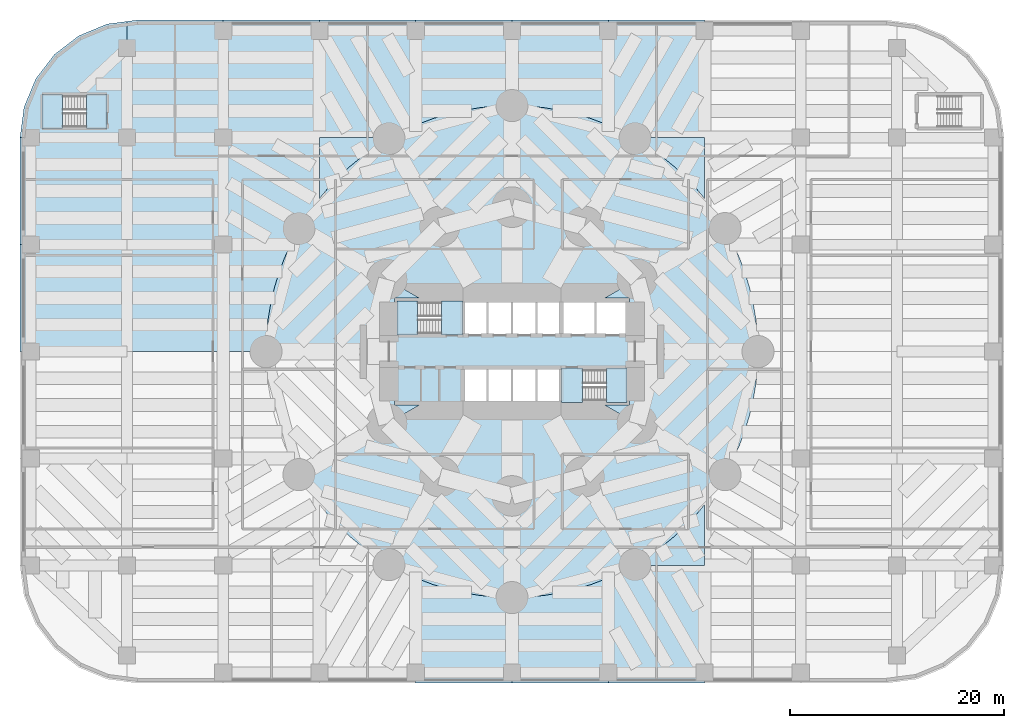
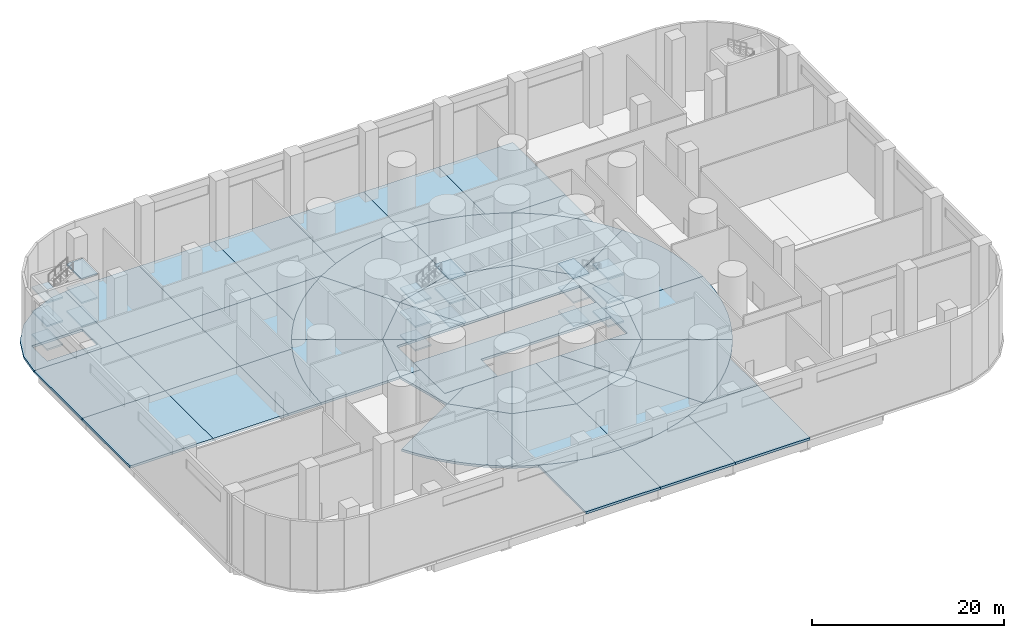
# One storey, part 5 of 13: 61 slabs, 3 elements without a shape of their own.
"""IFC4 building model written with IfcOpenShell, lengths in metres."""

from ifc_helpers import new_model, si_unit, direction, frame, origin, place, context, subcontext, project, spatial, polyline, outline, extrude, material, layer, layer_set, type_object, element, aggregate, save


model = new_model("IFC4")

# Units and contexts
model_context = context("Model", 3, precision=1e-05, world=origin(), true_north=direction((0.0, 1.0)))
body_context = subcontext(model_context, "Body", "Model", "MODEL_VIEW")
ifc_project = project(units=[si_unit("LENGTHUNIT", "METRE"), si_unit("AREAUNIT", "SQUARE_METRE"), si_unit("VOLUMEUNIT", "CUBIC_METRE"), si_unit("PLANEANGLEUNIT", "RADIAN"), si_unit("MASSUNIT", "GRAM", prefix="KILO")], contexts=[model_context])

# Site, building, storey
site_placement = place(None, origin())
site = spatial("IfcSite", under=ifc_project, at=site_placement, CompositionType="ELEMENT")
building_placement = place(site_placement, origin())
building = spatial("IfcBuilding", under=site, at=building_placement, Name="Qaws Media Tower", CompositionType="ELEMENT")
storey_placement = place(building_placement, frame((0.0, 0.0, 6.0)))
storey = spatial("IfcBuildingStorey", under=building, at=storey_placement, Name="L01", CompositionType="ELEMENT", Elevation=6.0)

# Slabs
ifc_material_1 = material(Name="Concrete C40/50", Category="concrete")
ifc_layer_1 = layer(ifc_material_1, 0.300048828125)
ifc_layer_set_1 = layer_set([ifc_layer_1], Name="Podium slab 300")
slab_type_1 = type_object("IfcSlabType", Name="Podium slab 300", PredefinedType="FLOOR", material=ifc_layer_set_1)
slab_1_placement = place(storey_placement, frame((0.0, 0.0, -0.300048828125)))
element("IfcSlab", 1, at=slab_1_placement, inside=storey, type_object=slab_type_1, Name="S3 slab L01 bay 1-2/D-E", PredefinedType="FLOOR", context=body_context, shape_type="SweptSolid", body=[
    extrude(outline(polyline([(14.0, 60.0), (24.0, 60.0), (24.0, 50.0), (14.0, 50.0), (14.0, 60.0)])), origin(), (0.0, 0.0, 1.0), 0.300048828125),
])
slab_2_placement = place(storey_placement, frame((0.0, 0.0, -0.300048828125)))
element("IfcSlab", 2, at=slab_2_placement, inside=storey, type_object=slab_type_1, Name="S3 slab L01 bay 1-2/E-F", PredefinedType="FLOOR", context=body_context, shape_type="SweptSolid", body=[
    extrude(outline(polyline([(14.0, 70.0), (24.0, 70.0), (24.0, 60.0), (14.0, 60.0), (14.0, 70.0)])), origin(), (0.0, 0.0, 1.0), 0.300048828125),
])
slab_3_placement = place(storey_placement, frame((0.0, 0.0, -0.300048828125)))
element("IfcSlab", 3, at=slab_3_placement, inside=storey, type_object=slab_type_1, Name="S3 slab L01 bay 1-2/F-G", PredefinedType="FLOOR", context=body_context, shape_type="SweptSolid", body=[
    extrude(outline(polyline([(14.374755859375, 72.846923828125), (15.4736328125, 75.5), (17.2216796875, 77.7783203125), (19.5, 79.5263671875), (22.153076171875, 80.625244140625), (24.0, 80.868408203125), (24.0, 70.0), (14.0, 70.0), (14.374755859375, 72.846923828125)]), holes=[polyline([(16.050048828125, 70.85009765625), (22.14990234375, 70.85009765625), (22.14990234375, 74.050048828125), (16.050048828125, 74.050048828125), (16.050048828125, 70.85009765625)])]), origin(), (0.0, 0.0, 1.0), 0.300048828125),
])
slab_4_placement = place(storey_placement, frame((0.0, 0.0, -0.300048828125)))
element("IfcSlab", 4, at=slab_4_placement, inside=storey, type_object=slab_type_1, Name="S3 slab L01 bay 2-3/D-E", PredefinedType="FLOOR", context=body_context, shape_type="SweptSolid", body=[
    extrude(outline(polyline([(24.0, 50.0), (24.0, 60.0), (33.0, 60.0), (33.0, 50.0), (24.0, 50.0)])), origin(), (0.0, 0.0, 1.0), 0.300048828125),
])
slab_5_placement = place(storey_placement, frame((0.0, 0.0, -0.300048828125)))
element("IfcSlab", 5, at=slab_5_placement, inside=storey, type_object=slab_type_1, Name="S3 slab L01 bay 2-3/E-F", PredefinedType="FLOOR", context=body_context, shape_type="SweptSolid", body=[
    extrude(outline(polyline([(24.0, 60.0), (24.0, 70.0), (33.0, 70.0), (33.0, 60.0), (24.0, 60.0)])), origin(), (0.0, 0.0, 1.0), 0.300048828125),
])
slab_6_placement = place(storey_placement, frame((0.0, 0.0, -0.300048828125)))
element("IfcSlab", 6, at=slab_6_placement, inside=storey, type_object=slab_type_1, Name="S3 slab L01 bay 2-3/F-G", PredefinedType="FLOOR", context=body_context, shape_type="SweptSolid", body=[
    extrude(outline(polyline([(25.0, 81.0), (33.0, 81.0), (33.0, 70.0), (24.0, 70.0), (24.0, 80.868408203125), (25.0, 81.0)])), origin(), (0.0, 0.0, 1.0), 0.300048828125),
])
slab_7_placement = place(storey_placement, frame((0.0, 0.0, -0.300048828125)))
element("IfcSlab", 7, at=slab_7_placement, inside=storey, type_object=slab_type_1, Name="S3 slab L01 bay 3-4/D-E", PredefinedType="FLOOR", context=body_context, shape_type="SweptSolid", body=[
    extrude(outline(polyline([(38.750732421875, 58.8017578125), (38.220703125, 57.39306640625), (37.78369140625, 55.952880859375), (37.44189453125, 54.487060546875), (37.19677734375, 53.002197265625), (37.04931640625, 51.50439453125), (37.0, 50.0), (33.0, 50.0), (33.0, 60.0), (39.293701171875, 60.0), (38.750732421875, 58.8017578125)])), origin(), (0.0, 0.0, 1.0), 0.300048828125),
])
slab_8_placement = place(storey_placement, frame((0.0, 0.0, -0.300048828125)))
element("IfcSlab", 8, at=slab_8_placement, inside=storey, type_object=slab_type_1, Name="S3 slab L01 bay 3-4/E-F", PredefinedType="FLOOR", context=body_context, shape_type="SweptSolid", body=[
    extrude(outline(polyline([(41.7529296875, 64.00146484375), (40.876220703125, 62.778076171875), (40.081298828125, 61.5), (39.371826171875, 60.172607421875), (39.293701171875, 60.0), (33.0, 60.0), (33.0, 70.0), (42.0, 70.0), (42.0, 64.302490234375), (41.7529296875, 64.00146484375)])), origin(), (0.0, 0.0, 1.0), 0.300048828125),
])
slab_9_placement = place(storey_placement, frame((0.0, 0.0, -0.300048828125)))
element("IfcSlab", 9, at=slab_9_placement, inside=storey, type_object=slab_type_1, Name="S3 slab L01 bay 3-4/F-G", PredefinedType="FLOOR", context=body_context, shape_type="SweptSolid", body=[
    extrude(outline(polyline([(42.0, 81.0), (42.0, 70.0), (33.0, 70.0), (33.0, 81.0), (42.0, 81.0)])), origin(), (0.0, 0.0, 1.0), 0.300048828125),
])
slab_10_placement = place(storey_placement, frame((0.0, 0.0, -0.300048828125)))
element("IfcSlab", 10, at=slab_10_placement, inside=storey, type_object=slab_type_1, Name="S3 slab L01 bay 4-5/E-F", PredefinedType="FLOOR", context=body_context, shape_type="SweptSolid", body=[
    extrude(outline(polyline([(48.5, 69.918701171875), (47.221923828125, 69.123779296875), (45.99853515625, 68.2470703125), (44.8349609375, 67.292236328125), (43.736572265625, 66.263427734375), (42.707763671875, 65.1650390625), (42.0, 64.302490234375), (42.0, 70.0), (48.65234375, 70.0), (48.5, 69.918701171875)])), origin(), (0.0, 0.0, 1.0), 0.300048828125),
])
slab_11_placement = place(storey_placement, frame((0.0, 0.0, -0.300048828125)))
element("IfcSlab", 11, at=slab_11_placement, inside=storey, type_object=slab_type_1, Name="S3 slab L01 bay 4-5/F-G", PredefinedType="FLOOR", context=body_context, shape_type="SweptSolid", body=[
    extrude(outline(polyline([(51.0, 81.0), (51.0, 71.159423828125), (49.827392578125, 70.628173828125), (48.65234375, 70.0), (42.0, 70.0), (42.0, 81.0), (51.0, 81.0)])), origin(), (0.0, 0.0, 1.0), 0.300048828125),
])
slab_12_placement = place(storey_placement, frame((0.0, 0.0, -0.300048828125)))
element("IfcSlab", 12, at=slab_12_placement, inside=storey, type_object=slab_type_1, Name="S3 slab L01 bay 5-6/A-B", PredefinedType="FLOOR", context=body_context, shape_type="SweptSolid", body=[
    extrude(outline(polyline([(51.0, 19.0), (51.0, 28.840576171875), (51.1982421875, 28.750732421875), (52.60693359375, 28.220703125), (54.047119140625, 27.78369140625), (55.512939453125, 27.44189453125), (56.997802734375, 27.19677734375), (58.49560546875, 27.04931640625), (60.0, 27.0), (60.0, 19.0), (51.0, 19.0)])), origin(), (0.0, 0.0, 1.0), 0.300048828125),
])
slab_13_placement = place(storey_placement, frame((0.0, 0.0, -0.300048828125)))
element("IfcSlab", 13, at=slab_13_placement, inside=storey, type_object=slab_type_1, Name="S3 slab L01 bay 5-6/F-G", PredefinedType="FLOOR", context=body_context, shape_type="SweptSolid", body=[
    extrude(outline(polyline([(60.0, 81.0), (60.0, 73.0), (58.49560546875, 72.95068359375), (56.997802734375, 72.80322265625), (55.512939453125, 72.55810546875), (54.047119140625, 72.21630859375), (52.60693359375, 71.779296875), (51.1982421875, 71.249267578125), (51.0, 71.159423828125), (51.0, 81.0), (60.0, 81.0)])), origin(), (0.0, 0.0, 1.0), 0.300048828125),
])
slab_14_placement = place(storey_placement, frame((0.0, 0.0, -0.300048828125)))
element("IfcSlab", 14, at=slab_14_placement, inside=storey, type_object=slab_type_1, Name="S3 slab L01 bay 6-7/A-B", PredefinedType="FLOOR", context=body_context, shape_type="SweptSolid", body=[
    extrude(outline(polyline([(60.0, 19.0), (60.0, 27.0), (61.50439453125, 27.04931640625), (63.002197265625, 27.19677734375), (64.487060546875, 27.44189453125), (65.952880859375, 27.78369140625), (67.39306640625, 28.220703125), (68.8017578125, 28.750732421875), (69.0, 28.840576171875), (69.0, 19.0), (60.0, 19.0)])), origin(), (0.0, 0.0, 1.0), 0.300048828125),
])
slab_15_placement = place(storey_placement, frame((0.0, 0.0, -0.300048828125)))
element("IfcSlab", 15, at=slab_15_placement, inside=storey, type_object=slab_type_1, Name="S3 slab L01 bay 6-7/F-G", PredefinedType="FLOOR", context=body_context, shape_type="SweptSolid", body=[
    extrude(outline(polyline([(69.0, 81.0), (69.0, 71.159423828125), (68.8017578125, 71.249267578125), (67.39306640625, 71.779296875), (65.952880859375, 72.21630859375), (64.487060546875, 72.55810546875), (63.002197265625, 72.80322265625), (61.50439453125, 72.95068359375), (60.0, 73.0), (60.0, 81.0), (69.0, 81.0)])), origin(), (0.0, 0.0, 1.0), 0.300048828125),
])
slab_16_placement = place(storey_placement, frame((0.0, 0.0, -0.300048828125)))
element("IfcSlab", 16, at=slab_16_placement, inside=storey, type_object=slab_type_1, Name="S3 slab L01 bay 7-8/A-B", PredefinedType="FLOOR", context=body_context, shape_type="SweptSolid", body=[
    extrude(outline(polyline([(69.0, 19.0), (69.0, 28.840576171875), (70.172607421875, 29.371826171875), (71.34765625, 30.0), (78.0, 30.0), (78.0, 19.0), (69.0, 19.0)])), origin(), (0.0, 0.0, 1.0), 0.300048828125),
])
slab_17_placement = place(storey_placement, frame((0.0, 0.0, -0.300048828125)))
element("IfcSlab", 17, at=slab_17_placement, inside=storey, type_object=slab_type_1, Name="S3 slab L01 bay 7-8/B-C", PredefinedType="FLOOR", context=body_context, shape_type="SweptSolid", body=[
    extrude(outline(polyline([(71.5, 30.081298828125), (72.778076171875, 30.876220703125), (74.00146484375, 31.7529296875), (75.1650390625, 32.707763671875), (76.263427734375, 33.736572265625), (77.292236328125, 34.8349609375), (78.0, 35.697509765625), (78.0, 30.0), (71.34765625, 30.0), (71.5, 30.081298828125)])), origin(), (0.0, 0.0, 1.0), 0.300048828125),
])
slab_18_placement = place(storey_placement, frame((0.0, 0.0, -0.300048828125)))
element("IfcSlab", 18, at=slab_18_placement, inside=storey, type_object=slab_type_1, Name="S3 slab L01 bay 7-8/E-F", PredefinedType="FLOOR", context=body_context, shape_type="SweptSolid", body=[
    extrude(outline(polyline([(77.292236328125, 65.1650390625), (76.263427734375, 66.263427734375), (75.1650390625, 67.292236328125), (74.00146484375, 68.2470703125), (72.778076171875, 69.123779296875), (71.5, 69.918701171875), (71.34765625, 70.0), (78.0, 70.0), (78.0, 64.302490234375), (77.292236328125, 65.1650390625)])), origin(), (0.0, 0.0, 1.0), 0.300048828125),
])
slab_19_placement = place(storey_placement, frame((0.0, 0.0, -0.300048828125)))
element("IfcSlab", 19, at=slab_19_placement, inside=storey, type_object=slab_type_1, Name="S3 slab L01 bay 7-8/F-G", PredefinedType="FLOOR", context=body_context, shape_type="SweptSolid", body=[
    extrude(outline(polyline([(78.0, 81.0), (78.0, 70.0), (71.34765625, 70.0), (70.172607421875, 70.628173828125), (69.0, 71.159423828125), (69.0, 81.0), (78.0, 81.0)])), origin(), (0.0, 0.0, 1.0), 0.300048828125),
])
slab_20_placement = place(storey_placement, frame((0.0, 0.0, -0.300048828125)))
element("IfcSlab", 20, at=slab_20_placement, inside=storey, type_object=slab_type_1, Name="S3 slab L01 tower sector R01-R03 outer", PredefinedType="FLOOR", context=body_context, shape_type="SweptSolid", body=[
    extrude(outline(polyline([(82.80322265625, 53.002197265625), (82.95068359375, 51.50439453125), (83.0, 50.0), (73.5, 50.0), (71.69140625, 56.75), (79.918701171875, 61.5), (80.628173828125, 60.172607421875), (81.249267578125, 58.8017578125), (81.779296875, 57.39306640625), (82.21630859375, 55.952880859375), (82.55810546875, 54.487060546875), (82.80322265625, 53.002197265625)])), origin(), (0.0, 0.0, 1.0), 0.300048828125),
])
slab_21_placement = place(storey_placement, frame((0.0, 0.0, -0.300048828125)))
element("IfcSlab", 21, at=slab_21_placement, inside=storey, type_object=slab_type_1, Name="S3 slab L01 tower sector R01-R03 inner", PredefinedType="FLOOR", context=body_context, shape_type="SweptSolid", body=[
    extrude(outline(polyline([(71.0, 50.0), (71.0, 55.0), (68.660400390625, 55.0), (71.69140625, 56.75), (73.5, 50.0), (71.0, 50.0)])), origin(), (0.0, 0.0, 1.0), 0.300048828125),
])
slab_22_placement = place(storey_placement, frame((0.0, 0.0, -0.300048828125)))
element("IfcSlab", 22, at=slab_22_placement, inside=storey, type_object=slab_type_1, Name="S3 slab L01 tower sector R03-R05 outer", PredefinedType="FLOOR", context=body_context, shape_type="SweptSolid", body=[
    extrude(outline(polyline([(78.2470703125, 64.00146484375), (79.123779296875, 62.778076171875), (79.918701171875, 61.5), (71.69140625, 56.75), (66.75, 61.69140625), (71.5, 69.918701171875), (72.778076171875, 69.123779296875), (74.00146484375, 68.2470703125), (75.1650390625, 67.292236328125), (76.263427734375, 66.263427734375), (77.292236328125, 65.1650390625), (78.2470703125, 64.00146484375)])), origin(), (0.0, 0.0, 1.0), 0.300048828125),
])
slab_23_placement = place(storey_placement, frame((0.0, 0.0, -0.300048828125)))
element("IfcSlab", 23, at=slab_23_placement, inside=storey, type_object=slab_type_1, Name="S3 slab L01 tower sector R03-R05 inner", PredefinedType="FLOOR", context=body_context, shape_type="SweptSolid", body=[
    extrude(outline(polyline([(68.660400390625, 55.0), (62.88671875, 55.0), (66.75, 61.69140625), (71.69140625, 56.75), (68.660400390625, 55.0)])), origin(), (0.0, 0.0, 1.0), 0.300048828125),
])
slab_24_placement = place(storey_placement, frame((0.0, 0.0, -0.300048828125)))
element("IfcSlab", 24, at=slab_24_placement, inside=storey, type_object=slab_type_1, Name="S3 slab L01 tower sector R05-R07 outer", PredefinedType="FLOOR", context=body_context, shape_type="SweptSolid", body=[
    extrude(outline(polyline([(68.8017578125, 71.249267578125), (70.172607421875, 70.628173828125), (71.5, 69.918701171875), (66.75, 61.69140625), (60.0, 63.5), (60.0, 73.0), (61.50439453125, 72.95068359375), (63.002197265625, 72.80322265625), (64.487060546875, 72.55810546875), (65.952880859375, 72.21630859375), (67.39306640625, 71.779296875), (68.8017578125, 71.249267578125)])), origin(), (0.0, 0.0, 1.0), 0.300048828125),
])
slab_25_placement = place(storey_placement, frame((0.0, 0.0, -0.300048828125)))
element("IfcSlab", 25, at=slab_25_placement, inside=storey, type_object=slab_type_1, Name="S3 slab L01 tower sector R05-R07 inner", PredefinedType="FLOOR", context=body_context, shape_type="SweptSolid", body=[
    extrude(outline(polyline([(62.88671875, 55.0), (60.0, 55.0), (60.0, 63.5), (66.75, 61.69140625), (62.88671875, 55.0)])), origin(), (0.0, 0.0, 1.0), 0.300048828125),
])
slab_26_placement = place(storey_placement, frame((0.0, 0.0, -0.300048828125)))
element("IfcSlab", 26, at=slab_26_placement, inside=storey, type_object=slab_type_1, Name="S3 slab L01 tower sector R07-R09 outer", PredefinedType="FLOOR", context=body_context, shape_type="SweptSolid", body=[
    extrude(outline(polyline([(56.997802734375, 72.80322265625), (58.49560546875, 72.95068359375), (60.0, 73.0), (60.0, 63.5), (53.25, 61.69140625), (48.5, 69.918701171875), (49.827392578125, 70.628173828125), (51.1982421875, 71.249267578125), (52.60693359375, 71.779296875), (54.047119140625, 72.21630859375), (55.512939453125, 72.55810546875), (56.997802734375, 72.80322265625)])), origin(), (0.0, 0.0, 1.0), 0.300048828125),
])
slab_27_placement = place(storey_placement, frame((0.0, 0.0, -0.300048828125)))
element("IfcSlab", 27, at=slab_27_placement, inside=storey, type_object=slab_type_1, Name="S3 slab L01 tower sector R07-R09 inner", PredefinedType="FLOOR", context=body_context, shape_type="SweptSolid", body=[
    extrude(outline(polyline([(60.0, 55.0), (57.11328125, 55.0), (53.25, 61.69140625), (60.0, 63.5), (60.0, 55.0)])), origin(), (0.0, 0.0, 1.0), 0.300048828125),
])
slab_28_placement = place(storey_placement, frame((0.0, 0.0, -0.300048828125)))
element("IfcSlab", 28, at=slab_28_placement, inside=storey, type_object=slab_type_1, Name="S3 slab L01 tower sector R09-R11 outer", PredefinedType="FLOOR", context=body_context, shape_type="SweptSolid", body=[
    extrude(outline(polyline([(45.99853515625, 68.2470703125), (47.221923828125, 69.123779296875), (48.5, 69.918701171875), (53.25, 61.69140625), (48.30859375, 56.75), (40.081298828125, 61.5), (40.876220703125, 62.778076171875), (41.7529296875, 64.00146484375), (42.707763671875, 65.1650390625), (43.736572265625, 66.263427734375), (44.8349609375, 67.292236328125), (45.99853515625, 68.2470703125)])), origin(), (0.0, 0.0, 1.0), 0.300048828125),
])
slab_29_placement = place(storey_placement, frame((0.0, 0.0, -0.300048828125)))
element("IfcSlab", 29, at=slab_29_placement, inside=storey, type_object=slab_type_1, Name="S3 slab L01 tower sector R09-R11 inner", PredefinedType="FLOOR", context=body_context, shape_type="SweptSolid", body=[
    extrude(outline(polyline([(57.11328125, 55.0), (51.339599609375, 55.0), (48.30859375, 56.75), (53.25, 61.69140625), (57.11328125, 55.0)])), origin(), (0.0, 0.0, 1.0), 0.300048828125),
])
slab_30_placement = place(storey_placement, frame((0.0, 0.0, -0.300048828125)))
element("IfcSlab", 30, at=slab_30_placement, inside=storey, type_object=slab_type_1, Name="S3 slab L01 tower sector R11-R13 outer", PredefinedType="FLOOR", context=body_context, shape_type="SweptSolid", body=[
    extrude(outline(polyline([(38.750732421875, 58.8017578125), (39.371826171875, 60.172607421875), (40.081298828125, 61.5), (48.30859375, 56.75), (46.5, 50.0), (37.0, 50.0), (37.04931640625, 51.50439453125), (37.19677734375, 53.002197265625), (37.44189453125, 54.487060546875), (37.78369140625, 55.952880859375), (38.220703125, 57.39306640625), (38.750732421875, 58.8017578125)])), origin(), (0.0, 0.0, 1.0), 0.300048828125),
])
slab_31_placement = place(storey_placement, frame((0.0, 0.0, -0.300048828125)))
element("IfcSlab", 31, at=slab_31_placement, inside=storey, type_object=slab_type_1, Name="S3 slab L01 tower sector R11-R13 inner", PredefinedType="FLOOR", context=body_context, shape_type="SweptSolid", body=[
    extrude(outline(polyline([(51.339599609375, 55.0), (49.0, 55.0), (49.0, 50.0), (46.5, 50.0), (48.30859375, 56.75), (51.339599609375, 55.0)])), origin(), (0.0, 0.0, 1.0), 0.300048828125),
])
slab_32_placement = place(storey_placement, frame((0.0, 0.0, -0.300048828125)))
element("IfcSlab", 32, at=slab_32_placement, inside=storey, type_object=slab_type_1, Name="S3 slab L01 tower sector R13-R15 inner", PredefinedType="FLOOR", context=body_context, shape_type="SweptSolid", body=[
    extrude(outline(polyline([(49.0, 50.0), (49.0, 45.0), (51.339599609375, 45.0), (48.30859375, 43.25), (46.5, 50.0), (49.0, 50.0)])), origin(), (0.0, 0.0, 1.0), 0.300048828125),
])
slab_33_placement = place(storey_placement, frame((0.0, 0.0, -0.300048828125)))
element("IfcSlab", 33, at=slab_33_placement, inside=storey, type_object=slab_type_1, Name="S3 slab L01 tower sector R15-R17 outer", PredefinedType="FLOOR", context=body_context, shape_type="SweptSolid", body=[
    extrude(outline(polyline([(41.7529296875, 35.99853515625), (40.876220703125, 37.221923828125), (40.081298828125, 38.5), (48.30859375, 43.25), (53.25, 38.30859375), (48.5, 30.081298828125), (47.221923828125, 30.876220703125), (45.99853515625, 31.7529296875), (44.8349609375, 32.707763671875), (43.736572265625, 33.736572265625), (42.707763671875, 34.8349609375), (41.7529296875, 35.99853515625)])), origin(), (0.0, 0.0, 1.0), 0.300048828125),
])
slab_34_placement = place(storey_placement, frame((0.0, 0.0, -0.300048828125)))
element("IfcSlab", 34, at=slab_34_placement, inside=storey, type_object=slab_type_1, Name="S3 slab L01 tower sector R15-R17 inner", PredefinedType="FLOOR", context=body_context, shape_type="SweptSolid", body=[
    extrude(outline(polyline([(51.339599609375, 45.0), (57.11328125, 45.0), (53.25, 38.30859375), (48.30859375, 43.25), (51.339599609375, 45.0)])), origin(), (0.0, 0.0, 1.0), 0.300048828125),
])
slab_35_placement = place(storey_placement, frame((0.0, 0.0, -0.300048828125)))
element("IfcSlab", 35, at=slab_35_placement, inside=storey, type_object=slab_type_1, Name="S3 slab L01 tower sector R17-R19 outer", PredefinedType="FLOOR", context=body_context, shape_type="SweptSolid", body=[
    extrude(outline(polyline([(51.1982421875, 28.750732421875), (49.827392578125, 29.371826171875), (48.5, 30.081298828125), (53.25, 38.30859375), (60.0, 36.5), (60.0, 27.0), (58.49560546875, 27.04931640625), (56.997802734375, 27.19677734375), (55.512939453125, 27.44189453125), (54.047119140625, 27.78369140625), (52.60693359375, 28.220703125), (51.1982421875, 28.750732421875)])), origin(), (0.0, 0.0, 1.0), 0.300048828125),
])
slab_36_placement = place(storey_placement, frame((0.0, 0.0, -0.300048828125)))
element("IfcSlab", 36, at=slab_36_placement, inside=storey, type_object=slab_type_1, Name="S3 slab L01 tower sector R17-R19 inner", PredefinedType="FLOOR", context=body_context, shape_type="SweptSolid", body=[
    extrude(outline(polyline([(57.11328125, 45.0), (60.0, 45.0), (60.0, 36.5), (53.25, 38.30859375), (57.11328125, 45.0)])), origin(), (0.0, 0.0, 1.0), 0.300048828125),
])
slab_37_placement = place(storey_placement, frame((0.0, 0.0, -0.300048828125)))
element("IfcSlab", 37, at=slab_37_placement, inside=storey, type_object=slab_type_1, Name="S3 slab L01 tower sector R19-R21 outer", PredefinedType="FLOOR", context=body_context, shape_type="SweptSolid", body=[
    extrude(outline(polyline([(63.002197265625, 27.19677734375), (61.50439453125, 27.04931640625), (60.0, 27.0), (60.0, 36.5), (66.75, 38.30859375), (71.5, 30.081298828125), (70.172607421875, 29.371826171875), (68.8017578125, 28.750732421875), (67.39306640625, 28.220703125), (65.952880859375, 27.78369140625), (64.487060546875, 27.44189453125), (63.002197265625, 27.19677734375)])), origin(), (0.0, 0.0, 1.0), 0.300048828125),
])
slab_38_placement = place(storey_placement, frame((0.0, 0.0, -0.300048828125)))
element("IfcSlab", 38, at=slab_38_placement, inside=storey, type_object=slab_type_1, Name="S3 slab L01 tower sector R19-R21 inner", PredefinedType="FLOOR", context=body_context, shape_type="SweptSolid", body=[
    extrude(outline(polyline([(60.0, 45.0), (62.88671875, 45.0), (66.75, 38.30859375), (60.0, 36.5), (60.0, 45.0)])), origin(), (0.0, 0.0, 1.0), 0.300048828125),
])
slab_39_placement = place(storey_placement, frame((0.0, 0.0, -0.300048828125)))
element("IfcSlab", 39, at=slab_39_placement, inside=storey, type_object=slab_type_1, Name="S3 slab L01 tower sector R21-R23 outer", PredefinedType="FLOOR", context=body_context, shape_type="SweptSolid", body=[
    extrude(outline(polyline([(74.00146484375, 31.7529296875), (72.778076171875, 30.876220703125), (71.5, 30.081298828125), (66.75, 38.30859375), (71.69140625, 43.25), (79.918701171875, 38.5), (79.123779296875, 37.221923828125), (78.2470703125, 35.99853515625), (77.292236328125, 34.8349609375), (76.263427734375, 33.736572265625), (75.1650390625, 32.707763671875), (74.00146484375, 31.7529296875)])), origin(), (0.0, 0.0, 1.0), 0.300048828125),
])
slab_40_placement = place(storey_placement, frame((0.0, 0.0, -0.300048828125)))
element("IfcSlab", 40, at=slab_40_placement, inside=storey, type_object=slab_type_1, Name="S3 slab L01 tower sector R21-R23 inner", PredefinedType="FLOOR", context=body_context, shape_type="SweptSolid", body=[
    extrude(outline(polyline([(62.88671875, 45.0), (68.660400390625, 45.0), (71.69140625, 43.25), (66.75, 38.30859375), (62.88671875, 45.0)])), origin(), (0.0, 0.0, 1.0), 0.300048828125),
])
slab_41_placement = place(storey_placement, frame((0.0, 0.0, -0.300048828125)))
element("IfcSlab", 41, at=slab_41_placement, inside=storey, type_object=slab_type_1, Name="S3 slab L01 tower sector R23-R01 outer", PredefinedType="FLOOR", context=body_context, shape_type="SweptSolid", body=[
    extrude(outline(polyline([(81.249267578125, 41.1982421875), (80.628173828125, 39.827392578125), (79.918701171875, 38.5), (71.69140625, 43.25), (73.5, 50.0), (83.0, 50.0), (82.95068359375, 48.49560546875), (82.80322265625, 46.997802734375), (82.55810546875, 45.512939453125), (82.21630859375, 44.047119140625), (81.779296875, 42.60693359375), (81.249267578125, 41.1982421875)])), origin(), (0.0, 0.0, 1.0), 0.300048828125),
])
slab_42_placement = place(storey_placement, frame((0.0, 0.0, -0.300048828125)))
element("IfcSlab", 42, at=slab_42_placement, inside=storey, type_object=slab_type_1, Name="S3 slab L01 tower sector R23-R01 inner", PredefinedType="FLOOR", context=body_context, shape_type="SweptSolid", body=[
    extrude(outline(polyline([(68.660400390625, 45.0), (71.0, 45.0), (71.0, 50.0), (73.5, 50.0), (71.69140625, 43.25), (68.660400390625, 45.0)])), origin(), (0.0, 0.0, 1.0), 0.300048828125),
])
slab_43_placement = place(storey_placement, frame((0.0, 0.0, -0.300048828125)))
element("IfcSlab", 43, at=slab_43_placement, inside=storey, type_object=slab_type_1, Name="S3 core floor slab L01", PredefinedType="FLOOR", context=body_context, shape_type="SweptSolid", body=[
    extrude(outline(polyline([(55.39990234375, 48.5), (55.39990234375, 45.0), (49.0, 45.0), (49.0, 51.5), (71.0, 51.5), (71.0, 48.5), (55.39990234375, 48.5)])), origin(), (0.0, 0.0, 1.0), 0.300048828125),
])

# Stair, slabs
ifc_material_2 = material(Name="Concrete C40/50", Category="concrete")
stair_type = type_object("IfcStairType", Name="Exit stair", PredefinedType="HALF_TURN_STAIR", material=ifc_material_2)
stair_1_placement = place(storey_placement, origin())
stair_1 = element("IfcStair", 44, at=stair_1_placement, inside=storey, type_object=stair_type, Name="S1 exit stair L01", PredefinedType="HALF_TURN_STAIR")
ifc_material_3 = material(Name="Concrete C40/50", Category="concrete")
ifc_layer_2 = layer(ifc_material_3, 0.199951171875)
ifc_layer_set_2 = layer_set([ifc_layer_2], Name="Stair landing 200")
slab_type_2 = type_object("IfcSlabType", Name="Stair landing 200", PredefinedType="LANDING", material=ifc_layer_set_2)
slab_44_placement = place(storey_placement, frame((0.0, 0.0, 1.300048828125)))
slab_44 = element("IfcSlab", 45, at=slab_44_placement, type_object=slab_type_2, Name="S1 landing 1", PredefinedType="LANDING", context=body_context, shape_type="SweptSolid", body=[
    extrude(outline(polyline([(49.25, 51.550048828125), (51.179931640625, 51.550048828125), (51.179931640625, 54.75), (49.25, 54.75), (49.25, 51.550048828125)])), origin(), (0.0, 0.0, 1.0), 0.199951171875),
])
slab_45_placement = place(storey_placement, frame((0.0, 0.0, 2.800048828125)))
slab_45 = element("IfcSlab", 46, at=slab_45_placement, type_object=slab_type_2, Name="S1 landing 2", PredefinedType="LANDING", context=body_context, shape_type="SweptSolid", body=[
    extrude(outline(polyline([(53.419921875, 51.550048828125), (55.35009765625, 51.550048828125), (55.35009765625, 54.75), (53.419921875, 54.75), (53.419921875, 51.550048828125)])), origin(), (0.0, 0.0, 1.0), 0.199951171875),
])
slab_46_placement = place(storey_placement, frame((0.0, 0.0, 4.300048828125)))
slab_46 = element("IfcSlab", 47, at=slab_46_placement, type_object=slab_type_2, Name="S1 landing 3", PredefinedType="LANDING", context=body_context, shape_type="SweptSolid", body=[
    extrude(outline(polyline([(49.25, 51.550048828125), (51.179931640625, 51.550048828125), (51.179931640625, 54.75), (49.25, 54.75), (49.25, 51.550048828125)])), origin(), (0.0, 0.0, 1.0), 0.199951171875),
])
slab_47_placement = place(storey_placement, frame((0.0, 0.0, 5.800048828125)))
slab_47 = element("IfcSlab", 48, at=slab_47_placement, type_object=slab_type_2, Name="S1 landing 4", PredefinedType="LANDING", context=body_context, shape_type="SweptSolid", body=[
    extrude(outline(polyline([(53.419921875, 51.550048828125), (55.35009765625, 51.550048828125), (55.35009765625, 54.75), (53.419921875, 54.75), (53.419921875, 51.550048828125)])), origin(), (0.0, 0.0, 1.0), 0.199951171875),
])
slab_48_placement = place(storey_placement, frame((0.0, 0.0, 7.300048828125)))
slab_48 = element("IfcSlab", 49, at=slab_48_placement, type_object=slab_type_2, Name="S1 landing 5", PredefinedType="LANDING", context=body_context, shape_type="SweptSolid", body=[
    extrude(outline(polyline([(49.25, 51.550048828125), (51.179931640625, 51.550048828125), (51.179931640625, 54.75), (49.25, 54.75), (49.25, 51.550048828125)])), origin(), (0.0, 0.0, 1.0), 0.199951171875),
])
slab_49_placement = place(storey_placement, frame((0.0, 0.0, 8.800048828125)))
slab_49 = element("IfcSlab", 50, at=slab_49_placement, type_object=slab_type_2, Name="S1 landing 6", PredefinedType="LANDING", context=body_context, shape_type="SweptSolid", body=[
    extrude(outline(polyline([(53.419921875, 51.550048828125), (55.35009765625, 51.550048828125), (55.35009765625, 54.75), (53.419921875, 54.75), (53.419921875, 51.550048828125)])), origin(), (0.0, 0.0, 1.0), 0.199951171875),
])
aggregate(stair_1, [slab_44, slab_45, slab_46, slab_47, slab_48, slab_49])

stair_2_placement = place(storey_placement, origin())
stair_2 = element("IfcStair", 51, at=stair_2_placement, inside=storey, type_object=stair_type, Name="S2 exit stair L01", PredefinedType="HALF_TURN_STAIR")
slab_50_placement = place(storey_placement, frame((0.0, 0.0, 1.300048828125)))
slab_50 = element("IfcSlab", 52, at=slab_50_placement, type_object=slab_type_2, Name="S2 landing 1", PredefinedType="LANDING", context=body_context, shape_type="SweptSolid", body=[
    extrude(outline(polyline([(68.820068359375, 45.25), (70.75, 45.25), (70.75, 48.449951171875), (68.820068359375, 48.449951171875), (68.820068359375, 45.25)])), origin(), (0.0, 0.0, 1.0), 0.199951171875),
])
slab_51_placement = place(storey_placement, frame((0.0, 0.0, 2.800048828125)))
slab_51 = element("IfcSlab", 53, at=slab_51_placement, type_object=slab_type_2, Name="S2 landing 2", PredefinedType="LANDING", context=body_context, shape_type="SweptSolid", body=[
    extrude(outline(polyline([(64.64990234375, 45.25), (66.580078125, 45.25), (66.580078125, 48.449951171875), (64.64990234375, 48.449951171875), (64.64990234375, 45.25)])), origin(), (0.0, 0.0, 1.0), 0.199951171875),
])
slab_52_placement = place(storey_placement, frame((0.0, 0.0, 4.300048828125)))
slab_52 = element("IfcSlab", 54, at=slab_52_placement, type_object=slab_type_2, Name="S2 landing 3", PredefinedType="LANDING", context=body_context, shape_type="SweptSolid", body=[
    extrude(outline(polyline([(68.820068359375, 45.25), (70.75, 45.25), (70.75, 48.449951171875), (68.820068359375, 48.449951171875), (68.820068359375, 45.25)])), origin(), (0.0, 0.0, 1.0), 0.199951171875),
])
slab_53_placement = place(storey_placement, frame((0.0, 0.0, 5.800048828125)))
slab_53 = element("IfcSlab", 55, at=slab_53_placement, type_object=slab_type_2, Name="S2 landing 4", PredefinedType="LANDING", context=body_context, shape_type="SweptSolid", body=[
    extrude(outline(polyline([(64.64990234375, 45.25), (66.580078125, 45.25), (66.580078125, 48.449951171875), (64.64990234375, 48.449951171875), (64.64990234375, 45.25)])), origin(), (0.0, 0.0, 1.0), 0.199951171875),
])
slab_54_placement = place(storey_placement, frame((0.0, 0.0, 7.300048828125)))
slab_54 = element("IfcSlab", 56, at=slab_54_placement, type_object=slab_type_2, Name="S2 landing 5", PredefinedType="LANDING", context=body_context, shape_type="SweptSolid", body=[
    extrude(outline(polyline([(68.820068359375, 45.25), (70.75, 45.25), (70.75, 48.449951171875), (68.820068359375, 48.449951171875), (68.820068359375, 45.25)])), origin(), (0.0, 0.0, 1.0), 0.199951171875),
])
slab_55_placement = place(storey_placement, frame((0.0, 0.0, 8.800048828125)))
slab_55 = element("IfcSlab", 57, at=slab_55_placement, type_object=slab_type_2, Name="S2 landing 6", PredefinedType="LANDING", context=body_context, shape_type="SweptSolid", body=[
    extrude(outline(polyline([(64.64990234375, 45.25), (66.580078125, 45.25), (66.580078125, 48.449951171875), (64.64990234375, 48.449951171875), (64.64990234375, 45.25)])), origin(), (0.0, 0.0, 1.0), 0.199951171875),
])
aggregate(stair_2, [slab_50, slab_51, slab_52, slab_53, slab_54, slab_55])

stair_3_placement = place(storey_placement, origin())
stair_3 = element("IfcStair", 58, at=stair_3_placement, inside=storey, type_object=stair_type, Name="S3 exit stair L01", PredefinedType="HALF_TURN_STAIR")
slab_56_placement = place(storey_placement, frame((0.0, 0.0, 1.300048828125)))
slab_56 = element("IfcSlab", 59, at=slab_56_placement, type_object=slab_type_2, Name="S3 landing 1", PredefinedType="LANDING", context=body_context, shape_type="SweptSolid", body=[
    extrude(outline(polyline([(16.050048828125, 70.85009765625), (17.97998046875, 70.85009765625), (17.97998046875, 74.050048828125), (16.050048828125, 74.050048828125), (16.050048828125, 70.85009765625)])), origin(), (0.0, 0.0, 1.0), 0.199951171875),
])
slab_57_placement = place(storey_placement, frame((0.0, 0.0, 2.800048828125)))
slab_57 = element("IfcSlab", 60, at=slab_57_placement, type_object=slab_type_2, Name="S3 landing 2", PredefinedType="LANDING", context=body_context, shape_type="SweptSolid", body=[
    extrude(outline(polyline([(20.219970703125, 70.85009765625), (22.14990234375, 70.85009765625), (22.14990234375, 74.050048828125), (20.219970703125, 74.050048828125), (20.219970703125, 70.85009765625)])), origin(), (0.0, 0.0, 1.0), 0.199951171875),
])
slab_58_placement = place(storey_placement, frame((0.0, 0.0, 4.300048828125)))
slab_58 = element("IfcSlab", 61, at=slab_58_placement, type_object=slab_type_2, Name="S3 landing 3", PredefinedType="LANDING", context=body_context, shape_type="SweptSolid", body=[
    extrude(outline(polyline([(16.050048828125, 70.85009765625), (17.97998046875, 70.85009765625), (17.97998046875, 74.050048828125), (16.050048828125, 74.050048828125), (16.050048828125, 70.85009765625)])), origin(), (0.0, 0.0, 1.0), 0.199951171875),
])
slab_59_placement = place(storey_placement, frame((0.0, 0.0, 5.800048828125)))
slab_59 = element("IfcSlab", 62, at=slab_59_placement, type_object=slab_type_2, Name="S3 landing 4", PredefinedType="LANDING", context=body_context, shape_type="SweptSolid", body=[
    extrude(outline(polyline([(20.219970703125, 70.85009765625), (22.14990234375, 70.85009765625), (22.14990234375, 74.050048828125), (20.219970703125, 74.050048828125), (20.219970703125, 70.85009765625)])), origin(), (0.0, 0.0, 1.0), 0.199951171875),
])
slab_60_placement = place(storey_placement, frame((0.0, 0.0, 7.300048828125)))
slab_60 = element("IfcSlab", 63, at=slab_60_placement, type_object=slab_type_2, Name="S3 landing 5", PredefinedType="LANDING", context=body_context, shape_type="SweptSolid", body=[
    extrude(outline(polyline([(16.050048828125, 70.85009765625), (17.97998046875, 70.85009765625), (17.97998046875, 74.050048828125), (16.050048828125, 74.050048828125), (16.050048828125, 70.85009765625)])), origin(), (0.0, 0.0, 1.0), 0.199951171875),
])
slab_61_placement = place(storey_placement, frame((0.0, 0.0, 8.800048828125)))
slab_61 = element("IfcSlab", 64, at=slab_61_placement, type_object=slab_type_2, Name="S3 landing 6", PredefinedType="LANDING", context=body_context, shape_type="SweptSolid", body=[
    extrude(outline(polyline([(20.219970703125, 70.85009765625), (22.14990234375, 70.85009765625), (22.14990234375, 74.050048828125), (20.219970703125, 74.050048828125), (20.219970703125, 70.85009765625)])), origin(), (0.0, 0.0, 1.0), 0.199951171875),
])
aggregate(stair_3, [slab_56, slab_57, slab_58, slab_59, slab_60, slab_61])

save(model, "model.ifc")
